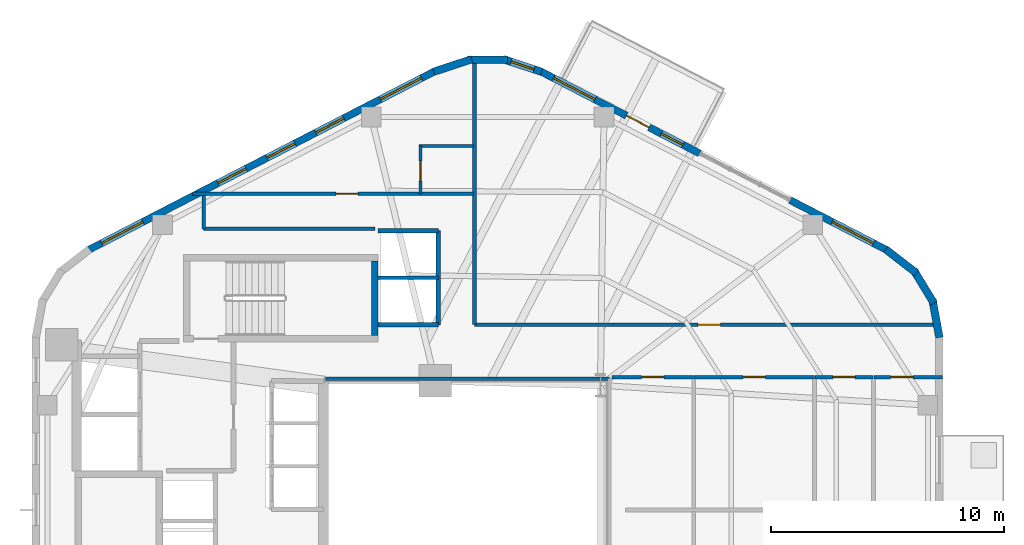
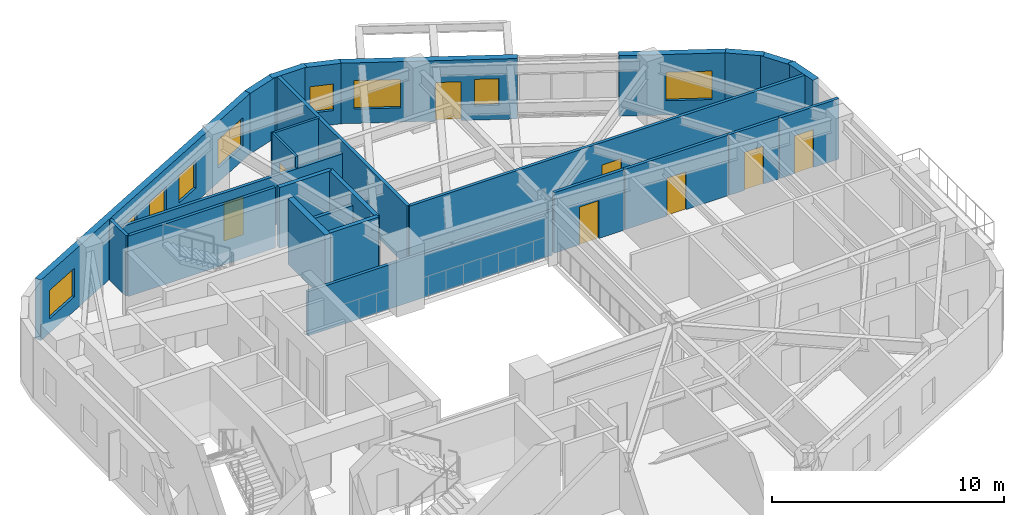
# One storey, part 8 of 11: 26 walls, 9 windows, 8 doors, 17 openings.
"""IFC4 building model written with IfcOpenShell, lengths in metres."""

from ifc_helpers import new_model, si_unit, direction, frame, frame_2d, origin, place, context, subcontext, project, spatial, rectangle, extrude, material, layer, layer_set, type_object, element, fill, save


model = new_model("IFC4")

# Units and contexts
model_context = context("Model", 3, precision=1e-05, world=origin(), true_north=direction((0.0, 1.0)))
body_context = subcontext(model_context, "Body", "Model", "MODEL_VIEW")
ifc_project = project(units=[si_unit("LENGTHUNIT", "METRE"), si_unit("AREAUNIT", "SQUARE_METRE"), si_unit("VOLUMEUNIT", "CUBIC_METRE"), si_unit("PLANEANGLEUNIT", "RADIAN"), si_unit("MASSUNIT", "GRAM", prefix="KILO"), si_unit("THERMODYNAMICTEMPERATUREUNIT", "KELVIN"), si_unit("POWERUNIT", "WATT")], contexts=[model_context])

# Site, building, storey
site_placement = place(None, origin())
site = spatial("IfcSite", under=ifc_project, at=site_placement, CompositionType="ELEMENT")
building_placement = place(site_placement, origin())
building = spatial("IfcBuilding", under=site, at=building_placement, Name="Skarre Station Tower", CompositionType="ELEMENT")
storey_placement = place(building_placement, frame((0.0, 0.0, 167.10009765625)))
storey = spatial("IfcBuildingStorey", under=building, at=storey_placement, Name="L45", CompositionType="ELEMENT", Elevation=167.10009765625)

# Wall
ifc_material_1 = material(Name="Acoustic Steel-Stud Gypsum Partition", Category="steel")
ifc_layer_1 = layer(ifc_material_1, 0.14990234375, Name="Acoustic Steel-Stud Gypsum Partition")
ifc_layer_set_1 = layer_set([ifc_layer_1], Name="Acoustic Steel-Stud Gypsum Partition")
wall_type_1 = type_object("IfcWallType", Name="Fire-Rated Corridor Acoustic Partition 150", PredefinedType="PARTITIONING", material=ifc_layer_set_1)
wall_1_placement = place(storey_placement, frame((39.840087890625, 29.639892578125, 0.0), z_axis=(0.0, 0.0, 1.0), x_axis=(-1.0, 0.0, 0.0)))
element("IfcWall", 1, at=wall_1_placement, inside=storey, type_object=wall_type_1, Name="L45 Interior Partition WL-PT-L45-ATRW-N", PredefinedType="PARTITIONING", context=body_context, shape_type="SweptSolid", body=[
    extrude(rectangle(XDim=12.2001953125, YDim=0.14990234375, at=frame_2d((6.10009765625, 0.0))), origin(), (0.0, 0.0, 1.0), 2.330810546875),
])

# Wall, opening, door
wall_2_placement = place(storey_placement, frame((34.0, 37.580078125, 0.0), z_axis=(0.0, 0.0, 1.0), x_axis=(-1.0, 0.0, 0.0)))
wall_2 = element("IfcWall", 2, at=wall_2_placement, inside=storey, type_object=wall_type_1, Name="L45 Interior Partition WL-PT-L45-NWW1-CW", PredefinedType="PARTITIONING", context=body_context, shape_type="SweptSolid", body=[
    extrude(rectangle(XDim=12.074951171875, YDim=0.14990234375, at=frame_2d((6.03759765625, 0.0))), origin(), (0.0, 0.0, 1.0), 2.581787109375),
])
opening_1_placement = place(wall_2_placement, frame((4.9599609375, 0.0, 0.0)))
opening_1 = element("IfcOpeningElement", 3, at=opening_1_placement, cuts=wall_2, Name="Opening DR-FD60", PredefinedType="OPENING", context=body_context, shape_type="SweptSolid", body=[
    extrude(rectangle(XDim=0.9599609375, YDim=2.0, at=frame_2d((0.47998046875, 1.0))), frame((0.0, 0.0849609375, 0.0), z_axis=(0.0, -1.0, 0.0), x_axis=(1.0, 0.0, 0.0)), (0.0, 0.0, 1.0), 0.169921875),
])
ifc_material_2 = material(Name="Nordic White-Oak Veneer Solid-Core Fire Leaf", Category="wood")
door_type_1 = type_object("IfcDoorType", Name="Corridor Suite Entry Fire Door FD60 960x2150", OperationType="SINGLE_SWING_LEFT", PredefinedType="DOOR", material=ifc_material_2)
door_1_placement = place(opening_1_placement, origin())
door_1 = element("IfcDoor", 4, at=door_1_placement, inside=storey, type_object=door_type_1, Name="L45 NWW1 Entry Door", OperationType="SINGLE_SWING_LEFT", OverallHeight=2.0, OverallWidth=0.9599609375, PredefinedType="DOOR", context=body_context, shape_type="SweptSolid", body=[
    extrude(rectangle(XDim=0.9599609375, YDim=2.0, at=frame_2d((0.47998046875, 1.0))), frame((0.0, 0.02490234375, 0.0), z_axis=(0.0, -1.0, 0.0), x_axis=(1.0, 0.0, 0.0)), (0.0, 0.0, 1.0), 0.050048828125),
])
fill(opening_1, door_1)

wall_3_placement = place(storey_placement, frame((54.077880859375, 31.9599609375, 0.0), z_axis=(0.0, 0.0, 1.0), x_axis=(-1.0, 0.0, 0.0)))
wall_3 = element("IfcWall", 5, at=wall_3_placement, inside=storey, type_object=wall_type_1, Name="L45 Interior Partition WL-PT-L45-NW1-CW", PredefinedType="PARTITIONING", context=body_context, shape_type="SweptSolid", body=[
    extrude(rectangle(XDim=20.037841796875, YDim=0.14990234375, at=frame_2d((10.01904296875, 0.0))), origin(), (0.0, 0.0, 1.0), 3.18994140625),
])
opening_2_placement = place(wall_3_placement, frame((9.468017578125, 0.0, 0.0)))
opening_2 = element("IfcOpeningElement", 6, at=opening_2_placement, cuts=wall_3, Name="Opening DR-FD60", PredefinedType="OPENING", context=body_context, shape_type="SweptSolid", body=[
    extrude(rectangle(XDim=0.9599609375, YDim=2.0, at=frame_2d((0.47998046875, 1.0))), frame((0.0, 0.0849609375, 0.0), z_axis=(0.0, -1.0, 0.0), x_axis=(1.0, 0.0, 0.0)), (0.0, 0.0, 1.0), 0.169921875),
])
door_2_placement = place(opening_2_placement, origin())
door_2 = element("IfcDoor", 7, at=door_2_placement, inside=storey, type_object=door_type_1, Name="L45 NW1 Entry Door", OperationType="SINGLE_SWING_LEFT", OverallHeight=2.0, OverallWidth=0.9599609375, PredefinedType="DOOR", context=body_context, shape_type="SweptSolid", body=[
    extrude(rectangle(XDim=0.9599609375, YDim=2.0, at=frame_2d((0.47998046875, 1.0))), frame((0.0, 0.02490234375, 0.0), z_axis=(0.0, -1.0, 0.0), x_axis=(1.0, 0.0, 0.0)), (0.0, 0.0, 1.0), 0.050048828125),
])
fill(opening_2, door_2)

wall_4_placement = place(storey_placement, frame((39.949951171875, 29.7099609375, 0.0), z_axis=(0.0, 0.0, 1.0), x_axis=(1.0, 0.0, 0.0)))
wall_4 = element("IfcWall", 8, at=wall_4_placement, inside=storey, type_object=wall_type_1, Name="L45 Interior Partition WL-PT-L45-EWN1-CW", PredefinedType="PARTITIONING", context=body_context, shape_type="SweptSolid", body=[
    extrude(rectangle(XDim=3.49609375, YDim=0.14990234375, at=frame_2d((1.748046875, 0.0))), origin(), (0.0, 0.0, 1.0), 3.18994140625),
])
opening_3_placement = place(wall_4_placement, frame((1.26806640625, 0.0, 0.0)))
opening_3 = element("IfcOpeningElement", 9, at=opening_3_placement, cuts=wall_4, Name="Opening DR-FD60", PredefinedType="OPENING", context=body_context, shape_type="SweptSolid", body=[
    extrude(rectangle(XDim=0.9599609375, YDim=2.0, at=frame_2d((0.47998046875, 1.0))), frame((0.0, 0.0849609375, 0.0), z_axis=(0.0, -1.0, 0.0), x_axis=(1.0, 0.0, 0.0)), (0.0, 0.0, 1.0), 0.169921875),
])
door_3_placement = place(opening_3_placement, origin())
door_3 = element("IfcDoor", 10, at=door_3_placement, inside=storey, type_object=door_type_1, Name="L45 EWN1 Entry Door", OperationType="SINGLE_SWING_LEFT", OverallHeight=2.0, OverallWidth=0.9599609375, PredefinedType="DOOR", context=body_context, shape_type="SweptSolid", body=[
    extrude(rectangle(XDim=0.9599609375, YDim=2.0, at=frame_2d((0.47998046875, 1.0))), frame((0.0, 0.02490234375, 0.0), z_axis=(0.0, -1.0, 0.0), x_axis=(1.0, 0.0, 0.0)), (0.0, 0.0, 1.0), 0.050048828125),
])
fill(opening_3, door_3)

wall_5_placement = place(storey_placement, frame((43.47607421875, 29.7099609375, 0.0), z_axis=(0.0, 0.0, 1.0), x_axis=(1.0, 0.0, 0.0)))
wall_5 = element("IfcWall", 11, at=wall_5_placement, inside=storey, type_object=wall_type_1, Name="L45 Interior Partition WL-PT-L45-EWN2-CW", PredefinedType="PARTITIONING", context=body_context, shape_type="SweptSolid", body=[
    extrude(rectangle(XDim=5.1650390625, YDim=0.14990234375, at=frame_2d((2.58251953125, 0.0))), origin(), (0.0, 0.0, 1.0), 3.18994140625),
])
opening_4_placement = place(wall_5_placement, frame((2.10205078125, 0.0, 0.0)))
opening_4 = element("IfcOpeningElement", 12, at=opening_4_placement, cuts=wall_5, Name="Opening DR-FD60", PredefinedType="OPENING", context=body_context, shape_type="SweptSolid", body=[
    extrude(rectangle(XDim=0.9599609375, YDim=2.0, at=frame_2d((0.47998046875, 1.0))), frame((0.0, 0.0849609375, 0.0), z_axis=(0.0, -1.0, 0.0), x_axis=(1.0, 0.0, 0.0)), (0.0, 0.0, 1.0), 0.169921875),
])
door_4_placement = place(opening_4_placement, origin())
door_4 = element("IfcDoor", 13, at=door_4_placement, inside=storey, type_object=door_type_1, Name="L45 EWN2 Entry Door", OperationType="SINGLE_SWING_LEFT", OverallHeight=2.0, OverallWidth=0.9599609375, PredefinedType="DOOR", context=body_context, shape_type="SweptSolid", body=[
    extrude(rectangle(XDim=0.9599609375, YDim=2.0, at=frame_2d((0.47998046875, 1.0))), frame((0.0, 0.02490234375, 0.0), z_axis=(0.0, -1.0, 0.0), x_axis=(1.0, 0.0, 0.0)), (0.0, 0.0, 1.0), 0.050048828125),
])
fill(opening_4, door_4)

wall_6_placement = place(storey_placement, frame((48.6708984375, 29.7099609375, 0.0), z_axis=(0.0, 0.0, 1.0), x_axis=(1.0, 0.0, 0.0)))
wall_6 = element("IfcWall", 14, at=wall_6_placement, inside=storey, type_object=wall_type_1, Name="L45 Interior Partition WL-PT-L45-EWN3-CW", PredefinedType="PARTITIONING", context=body_context, shape_type="SweptSolid", body=[
    extrude(rectangle(XDim=2.498046875, YDim=0.14990234375, at=frame_2d((1.2490234375, 0.0))), origin(), (0.0, 0.0, 1.0), 3.18994140625),
])
opening_5_placement = place(wall_6_placement, frame((0.76904296875, 0.0, 0.0)))
opening_5 = element("IfcOpeningElement", 15, at=opening_5_placement, cuts=wall_6, Name="Opening DR-FD60", PredefinedType="OPENING", context=body_context, shape_type="SweptSolid", body=[
    extrude(rectangle(XDim=0.9599609375, YDim=2.0, at=frame_2d((0.47998046875, 1.0))), frame((0.0, 0.0849609375, 0.0), z_axis=(0.0, -1.0, 0.0), x_axis=(1.0, 0.0, 0.0)), (0.0, 0.0, 1.0), 0.169921875),
])
door_5_placement = place(opening_5_placement, origin())
door_5 = element("IfcDoor", 16, at=door_5_placement, inside=storey, type_object=door_type_1, Name="L45 EWN3 Entry Door", OperationType="SINGLE_SWING_LEFT", OverallHeight=2.0, OverallWidth=0.9599609375, PredefinedType="DOOR", context=body_context, shape_type="SweptSolid", body=[
    extrude(rectangle(XDim=0.9599609375, YDim=2.0, at=frame_2d((0.47998046875, 1.0))), frame((0.0, 0.02490234375, 0.0), z_axis=(0.0, -1.0, 0.0), x_axis=(1.0, 0.0, 0.0)), (0.0, 0.0, 1.0), 0.050048828125),
])
fill(opening_5, door_5)

wall_7_placement = place(storey_placement, frame((51.198974609375, 29.7099609375, 0.0), z_axis=(0.0, 0.0, 1.0), x_axis=(1.0, 0.0, 0.0)))
wall_7 = element("IfcWall", 17, at=wall_7_placement, inside=storey, type_object=wall_type_1, Name="L45 Interior Partition WL-PT-L45-EWN4-CW", PredefinedType="PARTITIONING", context=body_context, shape_type="SweptSolid", body=[
    extrude(rectangle(XDim=2.963134765625, YDim=0.14990234375, at=frame_2d((1.4814453125, 0.0))), origin(), (0.0, 0.0, 1.0), 3.18994140625),
])
opening_6_placement = place(wall_7_placement, frame((0.72607421875, 0.0, 0.0)))
opening_6 = element("IfcOpeningElement", 18, at=opening_6_placement, cuts=wall_7, Name="Opening DR-FD60", PredefinedType="OPENING", context=body_context, shape_type="SweptSolid", body=[
    extrude(rectangle(XDim=0.9599609375, YDim=2.0, at=frame_2d((0.47998046875, 1.0))), frame((0.0, 0.0849609375, 0.0), z_axis=(0.0, -1.0, 0.0), x_axis=(1.0, 0.0, 0.0)), (0.0, 0.0, 1.0), 0.169921875),
])
door_6_placement = place(opening_6_placement, origin())
door_6 = element("IfcDoor", 19, at=door_6_placement, inside=storey, type_object=door_type_1, Name="L45 EWN4 Entry Door", OperationType="SINGLE_SWING_LEFT", OverallHeight=2.0, OverallWidth=0.9599609375, PredefinedType="DOOR", context=body_context, shape_type="SweptSolid", body=[
    extrude(rectangle(XDim=0.9599609375, YDim=2.0, at=frame_2d((0.47998046875, 1.0))), frame((0.0, 0.02490234375, 0.0), z_axis=(0.0, -1.0, 0.0), x_axis=(1.0, 0.0, 0.0)), (0.0, 0.0, 1.0), 0.050048828125),
])
fill(opening_6, door_6)

# Walls
wall_8_placement = place(storey_placement, frame((29.7529296875, 36.080078125, 0.0), z_axis=(0.0, 0.0, 1.0), x_axis=(-1.0, 0.0, 0.0)))
element("IfcWall", 20, at=wall_8_placement, inside=storey, type_object=wall_type_1, Name="L45 Interior Partition WL-PT-L45-CSEAL-1", PredefinedType="PARTITIONING", context=body_context, shape_type="SweptSolid", body=[
    extrude(rectangle(XDim=7.35302734375, YDim=0.14990234375, at=frame_2d((3.676513671875, 0.0))), origin(), (0.0, 0.0, 1.0), 3.18994140625),
])
wall_9_placement = place(storey_placement, frame((22.39990234375, 36.080078125, 0.0), z_axis=(0.0, 0.0, 1.0), x_axis=(0.0, 1.0, 0.0)))
element("IfcWall", 21, at=wall_9_placement, inside=storey, type_object=wall_type_1, Name="L45 Interior Partition WL-PT-L45-CSEAL-2", PredefinedType="PARTITIONING", context=body_context, shape_type="SweptSolid", body=[
    extrude(rectangle(XDim=1.429931640625, YDim=0.14990234375, at=frame_2d((0.71484375, 0.0))), origin(), (0.0, 0.0, 1.0), 3.18994140625),
])
ifc_material_3 = material(Name="Insulated Timber-Stud Gypsum Partition", Category="wood")
ifc_layer_2 = layer(ifc_material_3, 0.1201171875, Name="Insulated Timber-Stud Gypsum Partition")
ifc_layer_set_2 = layer_set([ifc_layer_2], Name="Insulated Timber-Stud Gypsum Partition")
wall_type_2 = type_object("IfcWallType", Name="Internal Suite Acoustic Partition 120", PredefinedType="PARTITIONING", material=ifc_layer_set_2)
wall_10_placement = place(storey_placement, frame((34.0, 39.639892578125, 0.0), z_axis=(0.0, 0.0, 1.0), x_axis=(-1.0, 0.0, 0.0)))
element("IfcWall", 22, at=wall_10_placement, inside=storey, type_object=wall_type_2, Name="L45 Interior Partition WL-PT-L45-NWW1-EW3", PredefinedType="PARTITIONING", context=body_context, shape_type="SweptSolid", body=[
    extrude(rectangle(XDim=2.340087890625, YDim=0.1201171875, at=frame_2d((1.169921875, 0.0))), origin(), (0.0, 0.0, 1.0), 3.18994140625),
])

# Wall, opening, door
wall_11_placement = place(storey_placement, frame((31.719970703125, 39.639892578125, 0.0), z_axis=(0.0, 0.0, 1.0), x_axis=(0.0, -1.0, 0.0)))
wall_11 = element("IfcWall", 23, at=wall_11_placement, inside=storey, type_object=wall_type_2, Name="L45 Interior Partition WL-PT-L45-NWW1-EW4", PredefinedType="PARTITIONING", context=body_context, shape_type="SweptSolid", body=[
    extrude(rectangle(XDim=2.059814453125, YDim=0.1201171875, at=frame_2d((1.02978515625, 0.0))), origin(), (0.0, 0.0, 1.0), 3.18994140625),
])
opening_7_placement = place(wall_11_placement, frame((0.64990234375, 0.0, 0.0)))
opening_7 = element("IfcOpeningElement", 24, at=opening_7_placement, cuts=wall_11, Name="Opening DR-INT86", PredefinedType="OPENING", context=body_context, shape_type="SweptSolid", body=[
    extrude(rectangle(XDim=0.860107421875, YDim=2.0, at=frame_2d((0.43017578125, 1.0))), frame((0.0, 0.070068359375, 0.0), z_axis=(0.0, -1.0, 0.0), x_axis=(1.0, 0.0, 0.0)), (0.0, 0.0, 1.0), 0.14013671875),
])
ifc_material_4 = material(Name="Nordic Birch Acoustic Solid-Core Timber Leaf", Category="wood")
door_type_2 = type_object("IfcDoorType", Name="Internal En-Suite & Bedroom Door 860x2100", OperationType="SINGLE_SWING_LEFT", PredefinedType="DOOR", material=ifc_material_4)
door_7_placement = place(opening_7_placement, origin())
door_7 = element("IfcDoor", 25, at=door_7_placement, inside=storey, type_object=door_type_2, Name="L45 NWW1 En-suite Door", OperationType="SINGLE_SWING_RIGHT", OverallHeight=2.0, OverallWidth=0.860107421875, PredefinedType="DOOR", context=body_context, shape_type="SweptSolid", body=[
    extrude(rectangle(XDim=0.860107421875, YDim=2.0, at=frame_2d((0.43017578125, 1.0))), frame((0.0, 0.02490234375, 0.0), z_axis=(0.0, -1.0, 0.0), x_axis=(1.0, 0.0, 0.0)), (0.0, 0.0, 1.0), 0.050048828125),
])
fill(opening_7, door_7)

# Walls
ifc_material_5 = material(Name="Precast concrete C45/55", Category="concrete")
ifc_layer_3 = layer(ifc_material_5, 0.330078125, Name="Precast concrete C45/55")
ifc_layer_set_3 = layer_set([ifc_layer_3], Name="Precast concrete C45/55")
wall_type_3 = type_object("IfcWallType", Name="Nordic Rounded Corner Precast Wall 330", PredefinedType="STANDARD", material=ifc_layer_set_3)
wall_12_placement = place(storey_placement, frame((51.7109375, 35.199951171875, 0.0), z_axis=(0.0, 0.0, 1.0), x_axis=(0.791464279355, -0.611215423976, 0.0)))
element("IfcWall", 26, at=wall_12_placement, inside=storey, type_object=wall_type_3, Name="L45 Rounded Corner Precast Wall F0-1", PredefinedType="STANDARD", context=body_context, shape_type="SweptSolid", body=[
    extrude(rectangle(XDim=1.6767578125, YDim=0.330078125, at=frame_2d((0.83837890625, 0.0))), origin(), (0.0, 0.0, 1.0), 3.18994140625),
])
wall_13_placement = place(storey_placement, frame((52.912109375, 34.31494140625, 0.0), z_axis=(0.0, 0.0, 1.0), x_axis=(0.520219286058, -0.85403272444, 0.0)))
element("IfcWall", 27, at=wall_13_placement, inside=storey, type_object=wall_type_3, Name="L45 Rounded Corner Precast Wall F0-2", PredefinedType="STANDARD", context=body_context, shape_type="SweptSolid", body=[
    extrude(rectangle(XDim=1.677734375, YDim=0.330078125, at=frame_2d((0.8388671875, 0.0))), origin(), (0.0, 0.0, 1.0), 3.18994140625),
])
wall_14_placement = place(storey_placement, frame((53.718017578125, 33.056884765625, 0.0), z_axis=(0.0, 0.0, 1.0), x_axis=(0.180717642671, -0.983535019014, 0.0)))
element("IfcWall", 28, at=wall_14_placement, inside=storey, type_object=wall_type_3, Name="L45 Rounded Corner Precast Wall F0-3", PredefinedType="STANDARD", context=body_context, shape_type="SweptSolid", body=[
    extrude(rectangle(XDim=1.676513671875, YDim=0.330078125, at=frame_2d((0.83837890625, 0.0))), origin(), (0.0, 0.0, 1.0), 3.18994140625),
])
wall_15_placement = place(storey_placement, frame((32.281005859375, 42.83203125, 0.0), z_axis=(0.0, 0.0, 1.0), x_axis=(0.949937416267, 0.312440242569, 0.0)))
element("IfcWall", 29, at=wall_15_placement, inside=storey, type_object=wall_type_3, Name="L45 Rounded Corner Precast Wall F1-1", PredefinedType="STANDARD", context=body_context, shape_type="SweptSolid", body=[
    extrude(rectangle(XDim=1.72216796875, YDim=0.330078125, at=frame_2d((0.861083984375, 0.0))), origin(), (0.0, 0.0, 1.0), 3.18994140625),
])
wall_16_placement = place(storey_placement, frame((33.739013671875, 43.341064453125, 0.0), z_axis=(0.0, 0.0, 1.0), x_axis=(1.0, 0.0, 0.0)))
element("IfcWall", 30, at=wall_16_placement, inside=storey, type_object=wall_type_3, Name="L45 Rounded Corner Precast Wall F1-2", PredefinedType="STANDARD", context=body_context, shape_type="SweptSolid", body=[
    extrude(rectangle(XDim=1.721923828125, YDim=0.330078125, at=frame_2d((0.86083984375, 0.0))), origin(), (0.0, 0.0, 1.0), 3.18994140625),
])

# Wall, opening, window
wall_17_placement = place(storey_placement, frame((35.282958984375, 43.3701171875, 0.0), z_axis=(0.0, 0.0, 1.0), x_axis=(0.949937416267, -0.312440242569, 0.0)))
wall_17 = element("IfcWall", 31, at=wall_17_placement, inside=storey, type_object=wall_type_3, Name="L45 Rounded Corner Precast Wall F1-3", PredefinedType="STANDARD", context=body_context, shape_type="SweptSolid", body=[
    extrude(rectangle(XDim=1.72216796875, YDim=0.330078125, at=frame_2d((0.861083984375, 0.0))), origin(), (0.0, 0.0, 1.0), 3.18994140625),
])
opening_8_placement = place(wall_17_placement, frame((0.3359375, 0.0, 0.75)))
opening_8 = element("IfcOpeningElement", 32, at=opening_8_placement, cuts=wall_17, Name="Opening WN-SLT", PredefinedType="OPENING", context=body_context, shape_type="SweptSolid", body=[
    extrude(rectangle(XDim=1.050048828125, YDim=1.39990234375, at=frame_2d((0.52490234375, 0.699951171875))), frame((0.0, 0.175048828125, 0.0), z_axis=(0.0, -1.0, 0.0), x_axis=(1.0, 0.0, 0.0)), (0.0, 0.0, 1.0), 0.35009765625),
])
ifc_material_6 = material(Name="Low-Iron Triple Glazing with Bronze Anodized Frame", Category="glass")
window_type_1 = type_object("IfcWindowType", Name="Nordic Corner Slot Window 1050x1400", PartitioningType="SINGLE_PANEL", PredefinedType="WINDOW", material=ifc_material_6)
window_1_placement = place(opening_8_placement, origin())
window_1 = element("IfcWindow", 33, at=window_1_placement, inside=storey, type_object=window_type_1, Name="L45 Apex Corner Slot Window F1-3", OverallHeight=1.39990234375, OverallWidth=1.050048828125, PartitioningType="SINGLE_PANEL", PredefinedType="WINDOW", context=body_context, shape_type="SweptSolid", body=[
    extrude(rectangle(XDim=1.050048828125, YDim=1.39990234375, at=frame_2d((0.52490234375, 0.699951171875))), frame((0.0, 0.030029296875, 0.0), z_axis=(0.0, -1.0, 0.0), x_axis=(1.0, 0.0, 0.0)), (0.0, 0.0, 1.0), 0.06005859375),
])
fill(opening_8, window_1)

# Wall, openings, windows, door
ifc_layer_4 = layer(ifc_material_5, 0.31005859375, Name="Precast concrete C45/55")
ifc_layer_set_4 = layer_set([ifc_layer_4], Name="Precast concrete C45/55")
wall_type_4 = type_object("IfcWallType", Name="Nordic Upper-Zone Precast Facet Wall 310", PredefinedType="STANDARD", material=ifc_layer_set_4)
wall_18_placement = place(storey_placement, frame((36.837890625, 42.87109375, 0.0), z_axis=(0.0, 0.0, 1.0), x_axis=(0.888645948291, -0.458593914686, 0.0)))
wall_18 = element("IfcWall", 34, at=wall_18_placement, inside=storey, type_object=wall_type_4, Name="L45 Facet 0 Pier A", PredefinedType="STANDARD", context=body_context, shape_type="SweptSolid", body=[
    extrude(rectangle(XDim=7.7412109375, YDim=0.31005859375, at=frame_2d((3.87060546875, 0.0))), origin(), (0.0, 0.0, 1.0), 3.18994140625),
])
opening_9_placement = place(wall_18_placement, frame((4.196044921875, 0.0, 0.0)))
opening_9 = element("IfcOpeningElement", 35, at=opening_9_placement, cuts=wall_18, Name="Opening DR-BAL110", PredefinedType="OPENING", context=body_context, shape_type="SweptSolid", body=[
    extrude(rectangle(XDim=1.10009765625, YDim=2.0400390625, at=frame_2d((0.550048828125, 1.02001953125))), frame((0.0, 0.1650390625, 0.0), z_axis=(0.0, -1.0, 0.0), x_axis=(1.0, 0.0, 0.0)), (0.0, 0.0, 1.0), 0.330078125),
])
opening_10_placement = place(wall_18_placement, frame((0.675048828125, 0.0, 0.75)))
opening_10 = element("IfcOpeningElement", 36, at=opening_10_placement, cuts=wall_18, Name="Opening WN-Z3A", PredefinedType="OPENING", context=body_context, shape_type="SweptSolid", body=[
    extrude(rectangle(XDim=2.0, YDim=1.5, at=frame_2d((1.0, 0.75))), frame((0.0, 0.1650390625, 0.0), z_axis=(0.0, -1.0, 0.0), x_axis=(1.0, 0.0, 0.0)), (0.0, 0.0, 1.0), 0.330078125),
])
opening_11_placement = place(wall_18_placement, frame((5.87890625, 0.0, 0.75)))
opening_11 = element("IfcOpeningElement", 37, at=opening_11_placement, cuts=wall_18, Name="Opening WN-SLT", PredefinedType="OPENING", context=body_context, shape_type="SweptSolid", body=[
    extrude(rectangle(XDim=1.050048828125, YDim=1.39990234375, at=frame_2d((0.52490234375, 0.699951171875))), frame((0.0, 0.1650390625, 0.0), z_axis=(0.0, -1.0, 0.0), x_axis=(1.0, 0.0, 0.0)), (0.0, 0.0, 1.0), 0.330078125),
])
window_2_placement = place(opening_11_placement, origin())
window_2 = element("IfcWindow", 38, at=window_2_placement, inside=storey, type_object=window_type_1, Name="L45 Facade Window WL-FAC-L45-F0A-2", OverallHeight=1.39990234375, OverallWidth=1.050048828125, PartitioningType="SINGLE_PANEL", PredefinedType="WINDOW", context=body_context, shape_type="SweptSolid", body=[
    extrude(rectangle(XDim=1.050048828125, YDim=1.39990234375, at=frame_2d((0.52490234375, 0.699951171875))), frame((0.0, 0.030029296875, 0.0), z_axis=(0.0, -1.0, 0.0), x_axis=(1.0, 0.0, 0.0)), (0.0, 0.0, 1.0), 0.06005859375),
])
fill(opening_11, window_2)
window_type_2 = type_object("IfcWindowType", Name="Nordic Hospitality Window 2000x1500", PartitioningType="SINGLE_PANEL", PredefinedType="WINDOW", material=ifc_material_6)
window_3_placement = place(opening_10_placement, origin())
window_3 = element("IfcWindow", 39, at=window_3_placement, inside=storey, type_object=window_type_2, Name="L45 Facade Window WL-FAC-L45-F0A-1", OverallHeight=1.5, OverallWidth=2.0, PartitioningType="SINGLE_PANEL", PredefinedType="WINDOW", context=body_context, shape_type="SweptSolid", body=[
    extrude(rectangle(XDim=2.0, YDim=1.5, at=frame_2d((1.0, 0.75))), frame((0.0, 0.030029296875, 0.0), z_axis=(0.0, -1.0, 0.0), x_axis=(1.0, 0.0, 0.0)), (0.0, 0.0, 1.0), 0.06005859375),
])
fill(opening_10, window_3)
ifc_material_7 = material(Name="Thermally Broken Aluminium & Triple Glazing", Category="aluminium")
door_type_3 = type_object("IfcDoorType", Name="Terrace & Tree-Balcony Glazed Door 1100x2200", OperationType="SINGLE_SWING_LEFT", PredefinedType="DOOR", material=ifc_material_7)
door_8_placement = place(opening_9_placement, origin())
door_8 = element("IfcDoor", 40, at=door_8_placement, inside=storey, type_object=door_type_3, Name="L45 SG-2 Conservatory Terrace Door", OperationType="SINGLE_SWING_LEFT", OverallHeight=2.0400390625, OverallWidth=1.10009765625, PredefinedType="DOOR", context=body_context, shape_type="SweptSolid", body=[
    extrude(rectangle(XDim=1.10009765625, YDim=2.0400390625, at=frame_2d((0.550048828125, 1.02001953125))), frame((0.0, 0.02490234375, 0.0), z_axis=(0.0, -1.0, 0.0), x_axis=(1.0, 0.0, 0.0)), (0.0, 0.0, 1.0), 0.050048828125),
])
fill(opening_9, door_8)

# Wall, opening, window
wall_19_placement = place(storey_placement, frame((47.60498046875, 37.31396484375, 0.0), z_axis=(0.0, 0.0, 1.0), x_axis=(0.888633599899, -0.458617842141, 0.0)))
wall_19 = element("IfcWall", 41, at=wall_19_placement, inside=storey, type_object=wall_type_4, Name="L45 Facet 0 Pier B", PredefinedType="STANDARD", context=body_context, shape_type="SweptSolid", body=[
    extrude(rectangle(XDim=4.711669921875, YDim=0.31005859375, at=frame_2d((2.35595703125, 0.0))), origin(), (0.0, 0.0, 1.0), 3.18994140625),
])
opening_12_placement = place(wall_19_placement, frame((2.035888671875, 0.0, 0.75)))
opening_12 = element("IfcOpeningElement", 42, at=opening_12_placement, cuts=wall_19, Name="Opening WN-Z3A", PredefinedType="OPENING", context=body_context, shape_type="SweptSolid", body=[
    extrude(rectangle(XDim=2.0, YDim=1.5, at=frame_2d((1.0, 0.75))), frame((0.0, 0.1650390625, 0.0), z_axis=(0.0, -1.0, 0.0), x_axis=(1.0, 0.0, 0.0)), (0.0, 0.0, 1.0), 0.330078125),
])
window_4_placement = place(opening_12_placement, origin())
window_4 = element("IfcWindow", 43, at=window_4_placement, inside=storey, type_object=window_type_2, Name="L45 Facade Window WL-FAC-L45-F0B-1", OverallHeight=1.5, OverallWidth=2.0, PartitioningType="SINGLE_PANEL", PredefinedType="WINDOW", context=body_context, shape_type="SweptSolid", body=[
    extrude(rectangle(XDim=2.0, YDim=1.5, at=frame_2d((1.0, 0.75))), frame((0.0, 0.030029296875, 0.0), z_axis=(0.0, -1.0, 0.0), x_axis=(1.0, 0.0, 0.0)), (0.0, 0.0, 1.0), 0.06005859375),
])
fill(opening_12, window_4)

# Wall, openings, windows
wall_20_placement = place(storey_placement, frame((17.407958984375, 35.153076171875, 0.0), z_axis=(0.0, 0.0, 1.0), x_axis=(0.888626188278, 0.458632202867, 0.0)))
wall_20 = element("IfcWall", 44, at=wall_20_placement, inside=storey, type_object=wall_type_4, Name="L45 Facet 1 Nordic Precast Masonry Wall", PredefinedType="STANDARD", context=body_context, shape_type="SweptSolid", body=[
    extrude(rectangle(XDim=16.828369140625, YDim=0.31005859375, at=frame_2d((8.4140625, 0.0))), origin(), (0.0, 0.0, 1.0), 3.18994140625),
])
opening_13_placement = place(wall_20_placement, frame((0.675048828125, 0.0, 0.75)))
opening_13 = element("IfcOpeningElement", 45, at=opening_13_placement, cuts=wall_20, Name="Opening WN-Z3A", PredefinedType="OPENING", context=body_context, shape_type="SweptSolid", body=[
    extrude(rectangle(XDim=2.0, YDim=1.5, at=frame_2d((1.0, 0.75))), frame((0.0, 0.1650390625, 0.0), z_axis=(0.0, -1.0, 0.0), x_axis=(1.0, 0.0, 0.0)), (0.0, 0.0, 1.0), 0.330078125),
])
opening_14_placement = place(wall_20_placement, frame((6.31201171875, 0.0, 0.75)))
opening_14 = element("IfcOpeningElement", 46, at=opening_14_placement, cuts=wall_20, Name="Opening WN-Z3B", PredefinedType="OPENING", context=body_context, shape_type="SweptSolid", body=[
    extrude(rectangle(XDim=1.35009765625, YDim=1.449951171875, at=frame_2d((0.675048828125, 0.72509765625))), frame((0.0, 0.1650390625, 0.0), z_axis=(0.0, -1.0, 0.0), x_axis=(1.0, 0.0, 0.0)), (0.0, 0.0, 1.0), 0.330078125),
])
opening_15_placement = place(wall_20_placement, frame((8.676025390625, 0.0, 0.75)))
opening_15 = element("IfcOpeningElement", 47, at=opening_15_placement, cuts=wall_20, Name="Opening WN-Z3B", PredefinedType="OPENING", context=body_context, shape_type="SweptSolid", body=[
    extrude(rectangle(XDim=1.35009765625, YDim=1.449951171875, at=frame_2d((0.675048828125, 0.72509765625))), frame((0.0, 0.1650390625, 0.0), z_axis=(0.0, -1.0, 0.0), x_axis=(1.0, 0.0, 0.0)), (0.0, 0.0, 1.0), 0.330078125),
])
opening_16_placement = place(wall_20_placement, frame((11.041015625, 0.0, 0.75)))
opening_16 = element("IfcOpeningElement", 48, at=opening_16_placement, cuts=wall_20, Name="Opening WN-Z3B", PredefinedType="OPENING", context=body_context, shape_type="SweptSolid", body=[
    extrude(rectangle(XDim=1.35009765625, YDim=1.449951171875, at=frame_2d((0.675048828125, 0.72509765625))), frame((0.0, 0.1650390625, 0.0), z_axis=(0.0, -1.0, 0.0), x_axis=(1.0, 0.0, 0.0)), (0.0, 0.0, 1.0), 0.330078125),
])
opening_17_placement = place(wall_20_placement, frame((14.153076171875, 0.0, 0.75)))
opening_17 = element("IfcOpeningElement", 49, at=opening_17_placement, cuts=wall_20, Name="Opening WN-Z3A", PredefinedType="OPENING", context=body_context, shape_type="SweptSolid", body=[
    extrude(rectangle(XDim=2.0, YDim=1.5, at=frame_2d((1.0, 0.75))), frame((0.0, 0.1650390625, 0.0), z_axis=(0.0, -1.0, 0.0), x_axis=(1.0, 0.0, 0.0)), (0.0, 0.0, 1.0), 0.330078125),
])
window_type_3 = type_object("IfcWindowType", Name="Nordic Hospitality Narrow Window 1350x1450", PartitioningType="SINGLE_PANEL", PredefinedType="WINDOW", material=ifc_material_6)
window_5_placement = place(opening_14_placement, origin())
window_5 = element("IfcWindow", 50, at=window_5_placement, inside=storey, type_object=window_type_3, Name="L45 Facade Window WL-FAC-L45-F1-2", OverallHeight=1.449951171875, OverallWidth=1.35009765625, PartitioningType="SINGLE_PANEL", PredefinedType="WINDOW", context=body_context, shape_type="SweptSolid", body=[
    extrude(rectangle(XDim=1.35009765625, YDim=1.449951171875, at=frame_2d((0.675048828125, 0.72509765625))), frame((0.0, 0.030029296875, 0.0), z_axis=(0.0, -1.0, 0.0), x_axis=(1.0, 0.0, 0.0)), (0.0, 0.0, 1.0), 0.06005859375),
])
fill(opening_14, window_5)
window_6_placement = place(opening_15_placement, origin())
window_6 = element("IfcWindow", 51, at=window_6_placement, inside=storey, type_object=window_type_3, Name="L45 Facade Window WL-FAC-L45-F1-3", OverallHeight=1.449951171875, OverallWidth=1.35009765625, PartitioningType="SINGLE_PANEL", PredefinedType="WINDOW", context=body_context, shape_type="SweptSolid", body=[
    extrude(rectangle(XDim=1.35009765625, YDim=1.449951171875, at=frame_2d((0.675048828125, 0.72509765625))), frame((0.0, 0.030029296875, 0.0), z_axis=(0.0, -1.0, 0.0), x_axis=(1.0, 0.0, 0.0)), (0.0, 0.0, 1.0), 0.06005859375),
])
fill(opening_15, window_6)
window_7_placement = place(opening_16_placement, origin())
window_7 = element("IfcWindow", 52, at=window_7_placement, inside=storey, type_object=window_type_3, Name="L45 Facade Window WL-FAC-L45-F1-4", OverallHeight=1.449951171875, OverallWidth=1.35009765625, PartitioningType="SINGLE_PANEL", PredefinedType="WINDOW", context=body_context, shape_type="SweptSolid", body=[
    extrude(rectangle(XDim=1.35009765625, YDim=1.449951171875, at=frame_2d((0.675048828125, 0.72509765625))), frame((0.0, 0.030029296875, 0.0), z_axis=(0.0, -1.0, 0.0), x_axis=(1.0, 0.0, 0.0)), (0.0, 0.0, 1.0), 0.06005859375),
])
fill(opening_16, window_7)
window_8_placement = place(opening_13_placement, origin())
window_8 = element("IfcWindow", 53, at=window_8_placement, inside=storey, type_object=window_type_2, Name="L45 Facade Window WL-FAC-L45-F1-1", OverallHeight=1.5, OverallWidth=2.0, PartitioningType="SINGLE_PANEL", PredefinedType="WINDOW", context=body_context, shape_type="SweptSolid", body=[
    extrude(rectangle(XDim=2.0, YDim=1.5, at=frame_2d((1.0, 0.75))), frame((0.0, 0.030029296875, 0.0), z_axis=(0.0, -1.0, 0.0), x_axis=(1.0, 0.0, 0.0)), (0.0, 0.0, 1.0), 0.06005859375),
])
fill(opening_13, window_8)
window_9_placement = place(opening_17_placement, origin())
window_9 = element("IfcWindow", 54, at=window_9_placement, inside=storey, type_object=window_type_2, Name="L45 Facade Window WL-FAC-L45-F1-5", OverallHeight=1.5, OverallWidth=2.0, PartitioningType="SINGLE_PANEL", PredefinedType="WINDOW", context=body_context, shape_type="SweptSolid", body=[
    extrude(rectangle(XDim=2.0, YDim=1.5, at=frame_2d((1.0, 0.75))), frame((0.0, 0.030029296875, 0.0), z_axis=(0.0, -1.0, 0.0), x_axis=(1.0, 0.0, 0.0)), (0.0, 0.0, 1.0), 0.06005859375),
])
fill(opening_17, window_9)

# Walls
ifc_material_8 = material(Name="Concrete C50/60", Category="concrete")
ifc_layer_5 = layer(ifc_material_8, 0.280029296875, Name="Concrete C50/60")
ifc_layer_set_5 = layer_set([ifc_layer_5], Name="Concrete C50/60")
wall_type_5 = type_object("IfcWallType", Name="RC Core Shear Wall 280", PredefinedType="SHEAR", material=ifc_layer_set_5)
wall_21_placement = place(storey_placement, frame((29.739990234375, 31.5, 0.0), z_axis=(0.0, 0.0, 1.0), x_axis=(0.0, 1.0, 0.0)))
element("IfcWall", 55, at=wall_21_placement, inside=storey, type_object=wall_type_5, Name="L45 Stair ST-3 East Shear Wall", PredefinedType="SHEAR", context=body_context, shape_type="SweptSolid", body=[
    extrude(rectangle(XDim=3.199951171875, YDim=0.280029296875, at=frame_2d((1.60009765625, 0.0))), origin(), (0.0, 0.0, 1.0), 3.449951171875),
])
ifc_material_9 = material(Name="Gypsum Concrete Shaft Assembly C30/37", Category="concrete")
ifc_layer_6 = layer(ifc_material_9, 0.199951171875, Name="Gypsum Concrete Shaft Assembly C30/37")
ifc_layer_set_6 = layer_set([ifc_layer_6], Name="Gypsum Concrete Shaft Assembly C30/37")
wall_type_6 = type_object("IfcWallType", Name="Shaft & Core Fire Partition 200", PredefinedType="PARTITIONING", material=ifc_layer_set_6)
wall_22_placement = place(storey_placement, frame((32.47998046875, 31.949951171875, 0.0), z_axis=(0.0, 0.0, 1.0), x_axis=(0.0, 1.0, 0.0)))
element("IfcWall", 56, at=wall_22_placement, inside=storey, type_object=wall_type_6, Name="L45 Interior Partition WL-PT-L45-EX-E", PredefinedType="PARTITIONING", context=body_context, shape_type="SweptSolid", body=[
    extrude(rectangle(XDim=4.050048828125, YDim=0.199951171875, at=frame_2d((2.02490234375, 0.0))), origin(), (0.0, 0.0, 1.0), 3.18994140625),
])
for number, where, z_axis, x_axis, name in (
    (57, (29.8798828125, 36.0, 0.0), (0.0, 0.0, 1.0), (1.0, 0.0, 0.0), "L45 Interior Partition WL-PT-L45-EX-N"),
    (58, (32.47998046875, 31.949951171875, 0.0), (0.0, 0.0, 1.0), (-1.0, 0.0, 0.0), "L45 Interior Partition WL-PT-L45-EX-S"),
):
    element("IfcWall", number, at=place(storey_placement, frame(where, z_axis=z_axis, x_axis=x_axis)), inside=storey, type_object=wall_type_6, Name=name, PredefinedType="PARTITIONING", context=body_context, shape_type="SweptSolid", body=[
        extrude(rectangle(XDim=2.60009765625, YDim=0.199951171875, at=frame_2d((1.300048828125, 0.0))), origin(), (0.0, 0.0, 1.0), 3.18994140625),
    ])
wall_23_placement = place(storey_placement, frame((29.875, 33.97998046875, 0.0), z_axis=(0.0, 0.0, 1.0), x_axis=(1.0, 0.0, 0.0)))
element("IfcWall", 59, at=wall_23_placement, inside=storey, type_object=wall_type_6, Name="L45 Interior Partition WL-PT-L45-EX-DIV", PredefinedType="PARTITIONING", context=body_context, shape_type="SweptSolid", body=[
    extrude(rectangle(XDim=2.60498046875, YDim=0.159912109375, at=frame_2d((1.302490234375, 0.0))), origin(), (0.0, 0.0, 1.0), 2.581787109375),
])
ifc_layer_7 = layer(ifc_material_1, 0.1650390625, Name="Acoustic Steel-Stud Gypsum Partition")
ifc_layer_set_7 = layer_set([ifc_layer_7], Name="Acoustic Steel-Stud Gypsum Partition")
wall_type_7 = type_object("IfcWallType", Name="Suite Demising Acoustic Partition 165", PredefinedType="PARTITIONING", material=ifc_layer_set_7)
wall_24_placement = place(storey_placement, frame((34.0400390625, 31.9599609375, 0.0), z_axis=(0.0, 0.0, 1.0), x_axis=(0.0, 1.0, 0.0)))
element("IfcWall", 60, at=wall_24_placement, inside=storey, type_object=wall_type_7, Name="L45 Interior Partition WL-PT-L45-NW-WBND", PredefinedType="PARTITIONING", context=body_context, shape_type="SweptSolid", body=[
    extrude(rectangle(XDim=11.3759765625, YDim=0.1650390625, at=frame_2d((5.68798828125, 0.0))), origin(), (0.0, 0.0, 1.0), 3.18994140625),
])

save(model, "model.ifc")
